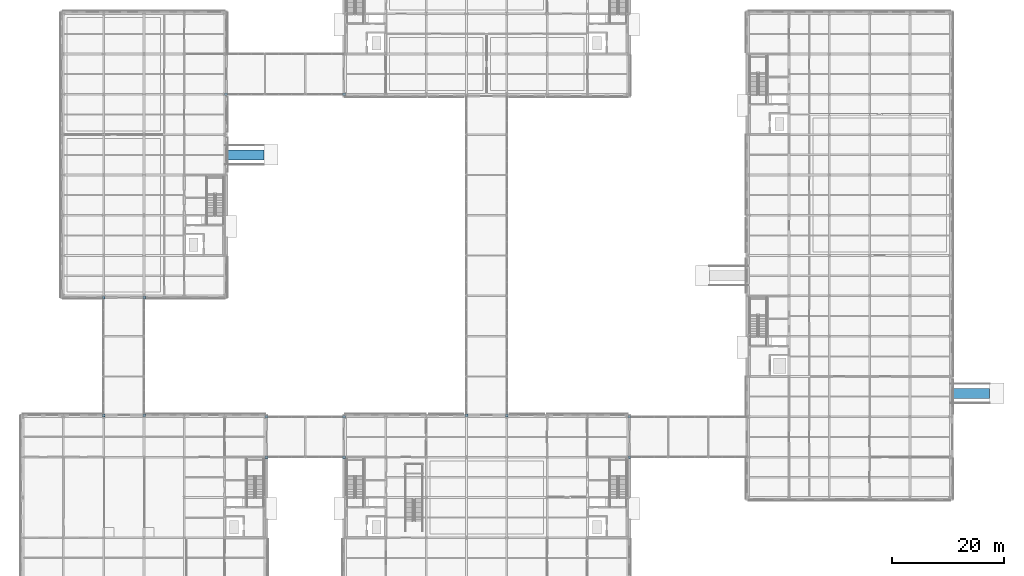
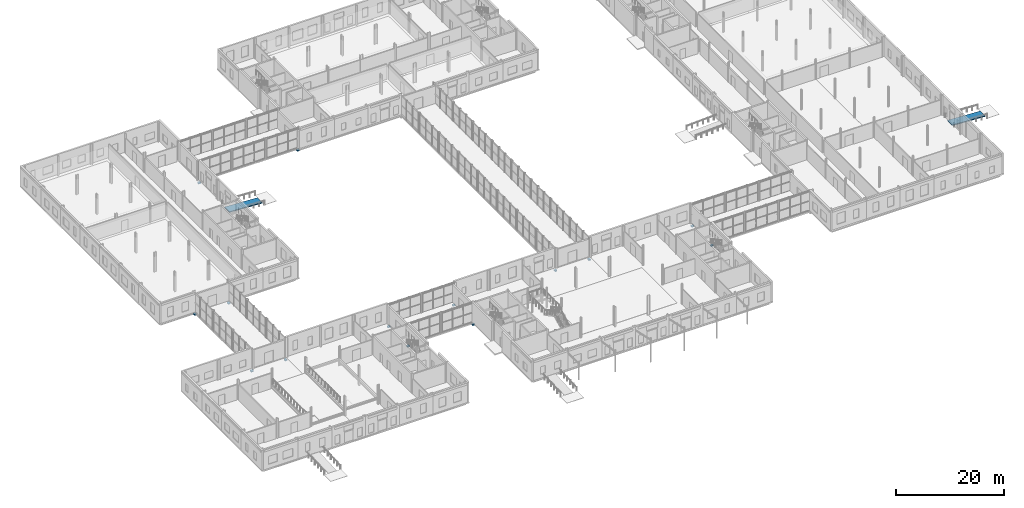
# One storey, part 72 of 92: 14 discrete accessories, 2 ramp flights, 2 elements without a shape of their own.
"""IFC4 building model written with IfcOpenShell, lengths in metres."""

from ifc_helpers import new_model, si_unit, direction, frame, origin, origin_2d, place, context, subcontext, project, spatial, polyline, rectangle, outline, extrude, material, layer, layer_set, type_object, element, aggregate, save


model = new_model("IFC4")

# Units and contexts
model_context = context("Model", 3, precision=1e-05, world=origin(), true_north=direction((0.0, 1.0)))
body_context = subcontext(model_context, "Body", "Model", "MODEL_VIEW")
ifc_project = project(units=[si_unit("LENGTHUNIT", "METRE"), si_unit("AREAUNIT", "SQUARE_METRE"), si_unit("VOLUMEUNIT", "CUBIC_METRE"), si_unit("PLANEANGLEUNIT", "RADIAN"), si_unit("MASSUNIT", "GRAM", prefix="KILO")], contexts=[model_context])

# Site, building, storey
site_placement = place(None, origin())
site = spatial("IfcSite", under=ifc_project, at=site_placement, CompositionType="ELEMENT")
building_placement = place(site_placement, origin())
building = spatial("IfcBuilding", under=site, at=building_placement, Name="Zlatovets Crest Museum", CompositionType="ELEMENT")
storey_placement = place(building_placement, origin())
storey = spatial("IfcBuildingStorey", under=building, at=storey_placement, Name="L00", CompositionType="ELEMENT", Elevation=0.0)

# Ramp, ramp flight
ifc_material_1 = material(Name="Concrete C30/37", Category="concrete")
ramp_type = type_object("IfcRampType", Name="AccessRamp_RM01", PredefinedType="STRAIGHT_RUN_RAMP", material=ifc_material_1)
ramp_1_placement = place(storey_placement, origin())
ramp_1 = element("IfcRamp", 1, at=ramp_1_placement, inside=storey, type_object=ramp_type, Name="West Court Step-Free Ramp", PredefinedType="STRAIGHT_RUN_RAMP")
ifc_layer = layer(ifc_material_1, 0.199951171875)
ifc_layer_set = layer_set([ifc_layer], Name="Concrete C30/37")
ramp_flight_type = type_object("IfcRampFlightType", Name="AccessRampFlight_RF01", PredefinedType="STRAIGHT", material=ifc_layer_set)
ramp_flight_1_placement = place(storey_placement, frame((43.0, 75.60009765625, -0.35009765625), z_axis=(0.0, 0.0, 1.0), x_axis=(-1.0, 0.0, 0.0)))
ramp_flight_1 = element("IfcRampFlight", 2, at=ramp_flight_1_placement, type_object=ramp_flight_type, Name="West Court Step-Free Ramp Flight", PredefinedType="STRAIGHT", context=body_context, shape_type="SweptSolid", body=[
    extrude(outline(polyline([(0.0, 0.0), (7.0, 0.35009765625), (7.0, 0.150146484375), (0.0, -0.199951171875), (0.0, 0.0)])), frame((0.0, 0.89990234375, 0.0), z_axis=(0.0, -1.0, 0.0), x_axis=(1.0, 0.0, 0.0)), (0.0, 0.0, 1.0), 1.800048828125),
])
aggregate(ramp_1, [ramp_flight_1])

ramp_2_placement = place(storey_placement, origin())
ramp_2 = element("IfcRamp", 3, at=ramp_2_placement, inside=storey, type_object=ramp_type, Name="East Courtyard Step-Free Pedestrian Ramp", PredefinedType="STRAIGHT_RUN_RAMP")
ramp_flight_2_placement = place(storey_placement, frame((172.60009765625, 33.0, -0.35009765625), z_axis=(0.0, 0.0, 1.0), x_axis=(-1.0, 0.0, 0.0)))
ramp_flight_2 = element("IfcRampFlight", 4, at=ramp_flight_2_placement, type_object=ramp_flight_type, Name="East Courtyard Step-Free Pedestrian Ramp Flight", PredefinedType="STRAIGHT", context=body_context, shape_type="SweptSolid", body=[
    extrude(outline(polyline([(0.0, 0.0), (7.0, 0.35009765625), (7.0, 0.150146484375), (0.0, -0.199951171875), (0.0, 0.0)])), frame((0.0, 0.89990234375, 0.0), z_axis=(0.0, -1.0, 0.0), x_axis=(1.0, 0.0, 0.0)), (0.0, 0.0, 1.0), 1.800048828125),
])
aggregate(ramp_2, [ramp_flight_2])

# Discrete accessories
ifc_material_2 = material(Name="Structural steel S355J2", Category="steel")
discrete_accessory_type = type_object("IfcDiscreteAccessoryType", Name="BridgeBearingSeat_BS01", PredefinedType="SHOE", material=ifc_material_2)
for number, where, z_axis, x_axis, name in (
    (5, (43.4599609375, 21.60009765625, -0.830078125), (0.0, 0.0, 1.0), (1.0, 0.0, 0.0), "South Forecourt Glazed Link Bridge L00 520mm Sliding Bearing Seat Corbel Shoe"),
    (6, (43.4599609375, 28.800048828125, -0.830078125), (0.0, 0.0, 1.0), (1.0, 0.0, 0.0), "South Forecourt Glazed Link Bridge L00 520mm Sliding Bearing Seat Corbel Shoe"),
    (7, (57.340087890625, 21.60009765625, -0.830078125), (0.0, 0.0, 1.0), (1.0, 0.0, 0.0), "South Forecourt Glazed Link Bridge L00 520mm Sliding Bearing Seat Corbel Shoe"),
    (8, (57.340087890625, 28.800048828125, -0.830078125), (0.0, 0.0, 1.0), (1.0, 0.0, 0.0), "South Forecourt Glazed Link Bridge L00 520mm Sliding Bearing Seat Corbel Shoe"),
):
    element("IfcDiscreteAccessory", number, at=place(storey_placement, frame(where, z_axis=z_axis, x_axis=x_axis)), inside=storey, type_object=discrete_accessory_type, Name=name, PredefinedType="SHOE", context=body_context, shape_type="SweptSolid", body=[
        extrude(rectangle(XDim=0.52001953125, YDim=0.449951171875, at=origin_2d()), origin(), (0.0, 0.0, 1.0), 0.280029296875),
    ])
for number, where, z_axis, x_axis, name in (
    (9, (14.39990234375, 29.06005859375, -0.7900390625), (0.0, 0.0, 1.0), (1.0, 0.0, 0.0), "West Hillside Glazed Link Bridge L00 520mm Sliding Bearing Seat Corbel Shoe"),
    (10, (21.60009765625, 29.06005859375, -0.7900390625), (0.0, 0.0, 1.0), (1.0, 0.0, 0.0), "West Hillside Glazed Link Bridge L00 520mm Sliding Bearing Seat Corbel Shoe"),
    (11, (14.39990234375, 50.139892578125, -0.7900390625), (0.0, 0.0, 1.0), (1.0, 0.0, 0.0), "West Hillside Glazed Link Bridge L00 520mm Sliding Bearing Seat Corbel Shoe"),
    (12, (21.60009765625, 50.139892578125, -0.7900390625), (0.0, 0.0, 1.0), (1.0, 0.0, 0.0), "West Hillside Glazed Link Bridge L00 520mm Sliding Bearing Seat Corbel Shoe"),
):
    element("IfcDiscreteAccessory", number, at=place(storey_placement, frame(where, z_axis=z_axis, x_axis=x_axis)), inside=storey, type_object=discrete_accessory_type, Name=name, PredefinedType="SHOE", context=body_context, shape_type="SweptSolid", body=[
        extrude(rectangle(XDim=0.449951171875, YDim=0.52001953125, at=origin_2d()), origin(), (0.0, 0.0, 1.0), 0.280029296875),
    ])
for number, where, z_axis, x_axis, name in (
    (13, (36.260009765625, 86.39990234375, -0.77978515625), (0.0, 0.0, 1.0), (1.0, 0.0, 0.0), "Northwest Crest Glazed Link Bridge L00 520mm Sliding Bearing Seat Corbel Shoe"),
    (14, (57.340087890625, 86.39990234375, -0.77978515625), (0.0, 0.0, 1.0), (1.0, 0.0, 0.0), "Northwest Crest Glazed Link Bridge L00 520mm Sliding Bearing Seat Corbel Shoe"),
    (15, (108.260009765625, 21.60009765625, -0.830078125), (0.0, 0.0, 1.0), (1.0, 0.0, 0.0), "Southeast Archive Glazed Link Bridge L00 520mm Sliding Bearing Seat Corbel Shoe"),
    (16, (108.260009765625, 28.800048828125, -0.830078125), (0.0, 0.0, 1.0), (1.0, 0.0, 0.0), "Southeast Archive Glazed Link Bridge L00 520mm Sliding Bearing Seat Corbel Shoe"),
):
    element("IfcDiscreteAccessory", number, at=place(storey_placement, frame(where, z_axis=z_axis, x_axis=x_axis)), inside=storey, type_object=discrete_accessory_type, Name=name, PredefinedType="SHOE", context=body_context, shape_type="SweptSolid", body=[
        extrude(rectangle(XDim=0.52001953125, YDim=0.449951171875, at=origin_2d()), origin(), (0.0, 0.0, 1.0), 0.280029296875),
    ])
for number, where, z_axis, x_axis, name in (
    (17, (79.199951171875, 29.06005859375, -0.830078125), (0.0, 0.0, 1.0), (1.0, 0.0, 0.0), "Central Sculpture Court Cloister and Skywalk L00 520mm Sliding Bearing Seat Corbel Shoe"),
    (18, (86.39990234375, 29.06005859375, -0.830078125), (0.0, 0.0, 1.0), (1.0, 0.0, 0.0), "Central Sculpture Court Cloister and Skywalk L00 520mm Sliding Bearing Seat Corbel Shoe"),
):
    element("IfcDiscreteAccessory", number, at=place(storey_placement, frame(where, z_axis=z_axis, x_axis=x_axis)), inside=storey, type_object=discrete_accessory_type, Name=name, PredefinedType="SHOE", context=body_context, shape_type="SweptSolid", body=[
        extrude(rectangle(XDim=0.449951171875, YDim=0.52001953125, at=origin_2d()), origin(), (0.0, 0.0, 1.0), 0.280029296875),
    ])

save(model, "model.ifc")
